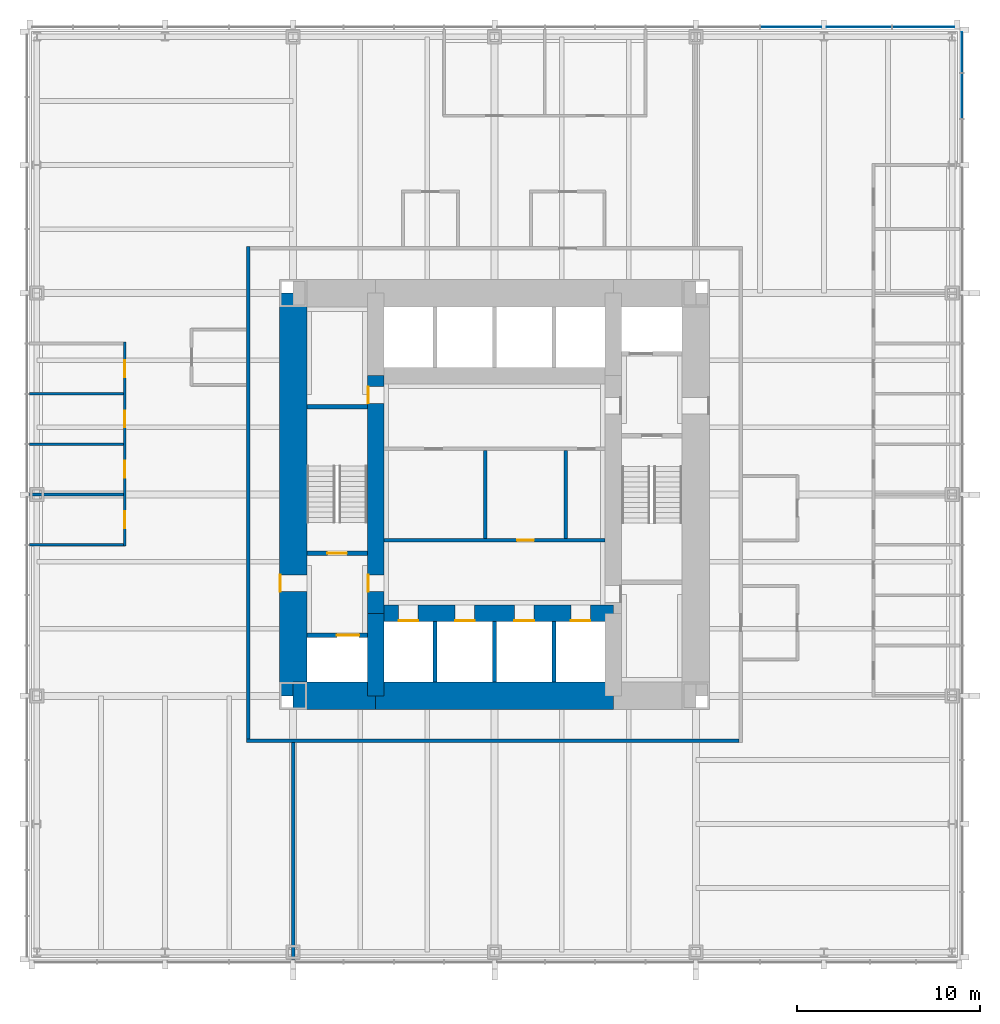
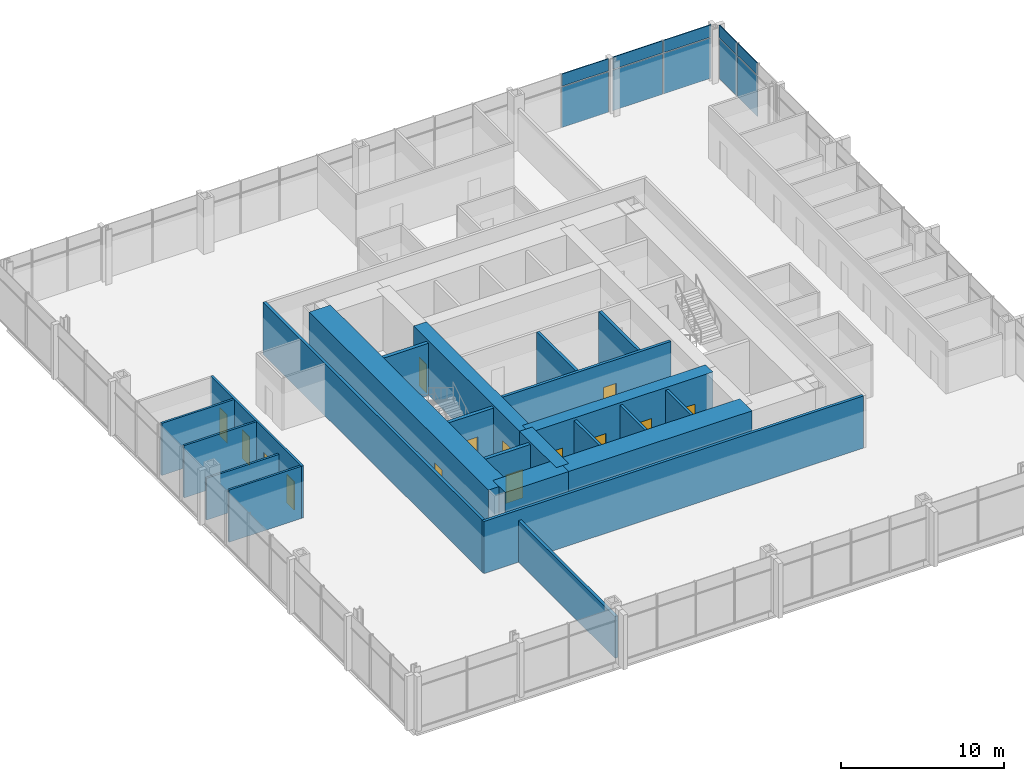
# One storey, part 9 of 12: 23 walls, 14 doors, 10 plates, 14 openings, 2 elements without a shape of their own.
"""IFC4 building model written with IfcOpenShell, lengths in metres."""

from ifc_helpers import new_model, si_unit, direction, frame, frame_2d, origin, origin_2d, place, context, subcontext, project, spatial, rectangle, extrude, material, layer, layer_set, type_object, element, fill, aggregate, save


model = new_model("IFC4")

# Units and contexts
model_context = context("Model", 3, precision=1e-05, world=origin(), true_north=direction((0.0, 1.0)))
body_context = subcontext(model_context, "Body", "Model", "MODEL_VIEW")
ifc_project = project(units=[si_unit("LENGTHUNIT", "METRE"), si_unit("AREAUNIT", "SQUARE_METRE"), si_unit("VOLUMEUNIT", "CUBIC_METRE"), si_unit("PLANEANGLEUNIT", "RADIAN"), si_unit("MASSUNIT", "GRAM", prefix="KILO")], contexts=[model_context])

# Site, building, storey
site_placement = place(None, origin())
site = spatial("IfcSite", under=ifc_project, at=site_placement, CompositionType="ELEMENT")
building_placement = place(site_placement, origin())
building = spatial("IfcBuilding", under=site, at=building_placement, Name="Trevanion Tower", CompositionType="ELEMENT")
storey_placement = place(building_placement, frame((0.0, 0.0, 44.699951171875)))
storey = spatial("IfcBuildingStorey", under=building, at=storey_placement, Name="L10", CompositionType="ELEMENT", Elevation=44.699951171875)

# Curtain wall, plates
ifc_material_1 = material(Name="Aluminium and glass", Category="aluminium")
curtain_wall_type = type_object("IfcCurtainWallType", Name="CW1 curtain wall", PredefinedType="USERDEFINED", material=ifc_material_1)
curtain_wall_1_placement = place(storey_placement, origin())
curtain_wall_1 = element("IfcCurtainWall", 1, at=curtain_wall_1_placement, inside=storey, type_object=curtain_wall_type, Name="CW1 L10 0", ObjectType="UNITISED CURTAIN WALL", PredefinedType="USERDEFINED")
ifc_material_2 = material(Name="Aluminium spandrel panel", Category="aluminium")
ifc_layer_1 = layer(ifc_material_2, 0.06005859375)
ifc_layer_set_1 = layer_set([ifc_layer_1], Name="CW1 spandrel panel")
plate_type_1 = type_object("IfcPlateType", Name="CW1 spandrel panel", PredefinedType="CURTAIN_PANEL", material=ifc_layer_set_1)
plate_1_placement = place(storey_placement, frame((25.550048828125, 21.77490234375, 2.99755859375), z_axis=(0.0, 0.0, 1.0), x_axis=(0.0, 1.0, 0.0)))
plate_1 = element("IfcPlate", 2, at=plate_1_placement, type_object=plate_type_1, Name="CW1 panel 16.2", PredefinedType="CURTAIN_PANEL", context=body_context, shape_type="SweptSolid", body=[
    extrude(rectangle(XDim=2.441650390625, YDim=0.06005859375, at=origin_2d()), origin(), (0.0, 0.0, 1.0), 0.91259765625),
])
plate_2_placement = place(storey_placement, frame((25.550048828125, 24.160400390625, 2.99755859375), z_axis=(0.0, 0.0, 1.0), x_axis=(0.0, 1.0, 0.0)))
plate_2 = element("IfcPlate", 3, at=plate_2_placement, type_object=plate_type_1, Name="CW1 panel 17.2", PredefinedType="CURTAIN_PANEL", context=body_context, shape_type="SweptSolid", body=[
    extrude(rectangle(XDim=2.17919921875, YDim=0.06005859375, at=origin_2d()), origin(), (0.0, 0.0, 1.0), 0.91259765625),
])

curtain_wall_2_placement = place(storey_placement, origin())
curtain_wall_2 = element("IfcCurtainWall", 4, at=curtain_wall_2_placement, inside=storey, type_object=curtain_wall_type, Name="CW1 L10 1", ObjectType="UNITISED CURTAIN WALL", PredefinedType="USERDEFINED")
plate_3_placement = place(storey_placement, frame((23.433837890625, 25.550048828125, 2.99755859375), z_axis=(0.0, 0.0, 1.0), x_axis=(-1.0, 0.0, 0.0)))
plate_3 = element("IfcPlate", 5, at=plate_3_placement, type_object=plate_type_1, Name="CW1 panel 1.2", PredefinedType="CURTAIN_PANEL", context=body_context, shape_type="SweptSolid", body=[
    extrude(rectangle(XDim=3.37255859375, YDim=0.06005859375, at=origin_2d()), origin(), (0.0, 0.0, 1.0), 0.91259765625),
])
plate_4_placement = place(storey_placement, frame((19.911376953125, 25.550048828125, 2.99755859375), z_axis=(0.0, 0.0, 1.0), x_axis=(-1.0, 0.0, 0.0)))
plate_4 = element("IfcPlate", 6, at=plate_4_placement, type_object=plate_type_1, Name="CW1 panel 2.2", PredefinedType="CURTAIN_PANEL", context=body_context, shape_type="SweptSolid", body=[
    extrude(rectangle(XDim=3.5224609375, YDim=0.06005859375, at=origin_2d()), origin(), (0.0, 0.0, 1.0), 0.91259765625),
])
plate_5_placement = place(storey_placement, frame((16.19384765625, 25.550048828125, 2.99755859375), z_axis=(0.0, 0.0, 1.0), x_axis=(-1.0, 0.0, 0.0)))
plate_5 = element("IfcPlate", 7, at=plate_5_placement, type_object=plate_type_1, Name="CW1 panel 3.2", PredefinedType="CURTAIN_PANEL", context=body_context, shape_type="SweptSolid", body=[
    extrude(rectangle(XDim=3.3125, YDim=0.06005859375, at=origin_2d()), origin(), (0.0, 0.0, 1.0), 0.91259765625),
])

# Plate
ifc_material_3 = material(Name="Insulating glass unit", Category="glass")
ifc_layer_2 = layer(ifc_material_3, 0.028076171875)
ifc_layer_set_2 = layer_set([ifc_layer_2], Name="CW1 vision panel")
plate_type_2 = type_object("IfcPlateType", Name="CW1 vision panel", PredefinedType="CURTAIN_PANEL", material=ifc_layer_set_2)
plate_6_placement = place(storey_placement, frame((25.550048828125, 21.77490234375, -0.114990234375), z_axis=(0.0, 0.0, 1.0), x_axis=(0.0, 1.0, 0.0)))
plate_6 = element("IfcPlate", 8, at=plate_6_placement, type_object=plate_type_2, Name="CW1 panel 16.1", PredefinedType="CURTAIN_PANEL", context=body_context, shape_type="SweptSolid", body=[
    extrude(rectangle(XDim=2.441650390625, YDim=0.028076171875, at=origin_2d()), origin(), (0.0, 0.0, 1.0), 3.03759765625),
])

plate_7_placement = place(storey_placement, frame((25.550048828125, 24.160400390625, -0.114990234375), z_axis=(0.0, 0.0, 1.0), x_axis=(0.0, 1.0, 0.0)))
plate_7 = element("IfcPlate", 9, at=plate_7_placement, type_object=plate_type_2, Name="CW1 panel 17.1", PredefinedType="CURTAIN_PANEL", context=body_context, shape_type="SweptSolid", body=[
    extrude(rectangle(XDim=2.17919921875, YDim=0.028076171875, at=origin_2d()), origin(), (0.0, 0.0, 1.0), 3.03759765625),
])

aggregate(curtain_wall_1, [plate_6, plate_1, plate_7, plate_2])

plate_8_placement = place(storey_placement, frame((23.433837890625, 25.550048828125, -0.114990234375), z_axis=(0.0, 0.0, 1.0), x_axis=(-1.0, 0.0, 0.0)))
plate_8 = element("IfcPlate", 10, at=plate_8_placement, type_object=plate_type_2, Name="CW1 panel 1.1", PredefinedType="CURTAIN_PANEL", context=body_context, shape_type="SweptSolid", body=[
    extrude(rectangle(XDim=3.37255859375, YDim=0.028076171875, at=origin_2d()), origin(), (0.0, 0.0, 1.0), 3.03759765625),
])

plate_9_placement = place(storey_placement, frame((19.911376953125, 25.550048828125, -0.114990234375), z_axis=(0.0, 0.0, 1.0), x_axis=(-1.0, 0.0, 0.0)))
plate_9 = element("IfcPlate", 11, at=plate_9_placement, type_object=plate_type_2, Name="CW1 panel 2.1", PredefinedType="CURTAIN_PANEL", context=body_context, shape_type="SweptSolid", body=[
    extrude(rectangle(XDim=3.5224609375, YDim=0.028076171875, at=origin_2d()), origin(), (0.0, 0.0, 1.0), 3.03759765625),
])

plate_10_placement = place(storey_placement, frame((16.19384765625, 25.550048828125, -0.114990234375), z_axis=(0.0, 0.0, 1.0), x_axis=(-1.0, 0.0, 0.0)))
plate_10 = element("IfcPlate", 12, at=plate_10_placement, type_object=plate_type_2, Name="CW1 panel 3.1", PredefinedType="CURTAIN_PANEL", context=body_context, shape_type="SweptSolid", body=[
    extrude(rectangle(XDim=3.3125, YDim=0.028076171875, at=origin_2d()), origin(), (0.0, 0.0, 1.0), 3.03759765625),
])

aggregate(curtain_wall_2, [plate_8, plate_3, plate_9, plate_4, plate_10, plate_5])

# Wall, opening, door
ifc_material_4 = material(Name="Concrete 10,000 psi", Category="concrete")
ifc_layer_3 = layer(ifc_material_4, 1.5)
ifc_layer_set_3 = layer_set([ifc_layer_3], Name="CW1 core wall 1500")
wall_type_1 = type_object("IfcWallType", Name="CW1 core wall 1500", PredefinedType="SHEAR", material=ifc_layer_set_3)
wall_1_placement = place(storey_placement, frame((-11.0, 11.0, 0.0), z_axis=(0.0, 0.0, 1.0), x_axis=(0.0, -1.0, 0.0)))
wall_1 = element("IfcWall", 13, at=wall_1_placement, inside=storey, type_object=wall_type_1, Name="CW1 CW L10", PredefinedType="SHEAR", context=body_context, shape_type="SweptSolid", body=[
    extrude(rectangle(XDim=22.0, YDim=1.5, at=frame_2d((11.0, 0.0))), origin(), (0.0, 0.0, 1.0), 4.10009765625),
])
opening_1_placement = place(wall_1_placement, frame((15.392578125, 0.0, 0.0)))
opening_1 = element("IfcOpeningElement", 14, at=opening_1_placement, cuts=wall_1, Name="Opening 10-002", PredefinedType="OPENING", context=body_context, shape_type="SweptSolid", body=[
    extrude(rectangle(XDim=0.9150390625, YDim=2.134033203125, at=frame_2d((0.45751953125, 1.06689453125))), frame((0.0, 0.760009765625, 0.0), z_axis=(0.0, -1.0, 0.0), x_axis=(1.0, 0.0, 0.0)), (0.0, 0.0, 1.0), 1.52001953125),
])
ifc_material_5 = material(Name="Hollow metal, fire rated", Category="steel")
door_type_1 = type_object("IfcDoorType", Name="D3 fire lift lobby door", OperationType="SINGLE_SWING_RIGHT", PredefinedType="DOOR", material=ifc_material_5)
door_1_placement = place(opening_1_placement, origin())
door_1 = element("IfcDoor", 15, at=door_1_placement, inside=storey, type_object=door_type_1, Name="Door 10-002", OperationType="SINGLE_SWING_RIGHT", OverallHeight=2.134033203125, OverallWidth=0.9150390625, PredefinedType="DOOR", context=body_context, shape_type="SweptSolid", body=[
    extrude(rectangle(XDim=0.9150390625, YDim=2.134033203125, at=frame_2d((0.45751953125, 1.06689453125))), frame((0.0, -0.6748046875, 0.0), z_axis=(0.0, -1.0, 0.0), x_axis=(1.0, 0.0, 0.0)), (0.0, 0.0, 1.0), 0.050048828125),
])
fill(opening_1, door_1)

# Walls
wall_2_placement = place(storey_placement, frame((-11.0, -11.0, 0.0), z_axis=(0.0, 0.0, 1.0), x_axis=(1.0, 0.0, 0.0)))
element("IfcWall", 16, at=wall_2_placement, inside=storey, type_object=wall_type_1, Name="CW1 CS1 L10", PredefinedType="SHEAR", context=body_context, shape_type="SweptSolid", body=[
    extrude(rectangle(XDim=4.5, YDim=1.5, at=frame_2d((2.25, 0.0))), origin(), (0.0, 0.0, 1.0), 4.10009765625),
])
wall_3_placement = place(storey_placement, frame((-6.5, -11.0, 0.0), z_axis=(0.0, 0.0, 1.0), x_axis=(1.0, 0.0, 0.0)))
element("IfcWall", 17, at=wall_3_placement, inside=storey, type_object=wall_type_1, Name="CW1 CS2 L10", PredefinedType="SHEAR", context=body_context, shape_type="SweptSolid", body=[
    extrude(rectangle(XDim=13.0, YDim=1.5, at=frame_2d((6.5, 0.0))), origin(), (0.0, 0.0, 1.0), 4.10009765625),
])

# Wall, openings, doors
ifc_material_6 = material(Name="Concrete 10,000 psi", Category="concrete")
ifc_layer_4 = layer(ifc_material_6, 0.89990234375)
ifc_layer_set_4 = layer_set([ifc_layer_4], Name="CW2 core wall 900")
wall_type_2 = type_object("IfcWallType", Name="CW2 core wall 900", PredefinedType="SHEAR", material=ifc_layer_set_4)
wall_4_placement = place(storey_placement, frame((-6.5, 6.5, 0.0), z_axis=(0.0, 0.0, 1.0), x_axis=(0.0, -1.0, 0.0)))
wall_4 = element("IfcWall", 18, at=wall_4_placement, inside=storey, type_object=wall_type_2, Name="CW2 RW2 L10", PredefinedType="SHEAR", context=body_context, shape_type="SweptSolid", body=[
    extrude(rectangle(XDim=13.0, YDim=0.89990234375, at=frame_2d((6.5, 0.0))), origin(), (0.0, 0.0, 1.0), 4.10009765625),
])
opening_2_placement = place(wall_4_placement, frame((10.892578125, 0.0, 0.0)))
opening_2 = element("IfcOpeningElement", 19, at=opening_2_placement, cuts=wall_4, Name="Opening 10-004", PredefinedType="OPENING", context=body_context, shape_type="SweptSolid", body=[
    extrude(rectangle(XDim=0.9150390625, YDim=2.134033203125, at=frame_2d((0.45751953125, 1.06689453125))), frame((0.0, 0.4599609375, 0.0), z_axis=(0.0, -1.0, 0.0), x_axis=(1.0, 0.0, 0.0)), (0.0, 0.0, 1.0), 0.919921875),
])
opening_3_placement = place(wall_4_placement, frame((0.610107421875, 0.0, 0.0)))
opening_3 = element("IfcOpeningElement", 20, at=opening_3_placement, cuts=wall_4, Name="Opening 10-010", PredefinedType="OPENING", context=body_context, shape_type="SweptSolid", body=[
    extrude(rectangle(XDim=0.9150390625, YDim=2.134033203125, at=frame_2d((0.45751953125, 1.06689453125))), frame((0.0, 0.4599609375, 0.0), z_axis=(0.0, -1.0, 0.0), x_axis=(1.0, 0.0, 0.0)), (0.0, 0.0, 1.0), 0.919921875),
])
door_2_placement = place(opening_2_placement, origin())
door_2 = element("IfcDoor", 21, at=door_2_placement, inside=storey, type_object=door_type_1, Name="Door 10-004", OperationType="SINGLE_SWING_RIGHT", OverallHeight=2.134033203125, OverallWidth=0.9150390625, PredefinedType="DOOR", context=body_context, shape_type="SweptSolid", body=[
    extrude(rectangle(XDim=0.9150390625, YDim=2.134033203125, at=frame_2d((0.45751953125, 1.06689453125))), frame((0.0, -0.375, 0.0), z_axis=(0.0, -1.0, 0.0), x_axis=(1.0, 0.0, 0.0)), (0.0, 0.0, 1.0), 0.050048828125),
])
fill(opening_2, door_2)
ifc_material_7 = material(Name="Hollow metal, fire rated", Category="steel")
door_type_2 = type_object("IfcDoorType", Name="D5 service room door", OperationType="SINGLE_SWING_RIGHT", PredefinedType="DOOR", material=ifc_material_7)
door_3_placement = place(opening_3_placement, origin())
door_3 = element("IfcDoor", 22, at=door_3_placement, inside=storey, type_object=door_type_2, Name="Door 10-010", OperationType="SINGLE_SWING_RIGHT", OverallHeight=2.134033203125, OverallWidth=0.9150390625, PredefinedType="DOOR", context=body_context, shape_type="SweptSolid", body=[
    extrude(rectangle(XDim=0.9150390625, YDim=2.134033203125, at=frame_2d((0.45751953125, 1.06689453125))), frame((0.0, -0.375, 0.0), z_axis=(0.0, -1.0, 0.0), x_axis=(1.0, 0.0, 0.0)), (0.0, 0.0, 1.0), 0.050048828125),
])
fill(opening_3, door_3)

# Wall
wall_5_placement = place(storey_placement, frame((-6.5, -6.5, 0.0), z_axis=(0.0, 0.0, 1.0), x_axis=(0.0, -1.0, 0.0)))
element("IfcWall", 23, at=wall_5_placement, inside=storey, type_object=wall_type_2, Name="CW2 RW3 L10", PredefinedType="SHEAR", context=body_context, shape_type="SweptSolid", body=[
    extrude(rectangle(XDim=4.5, YDim=0.89990234375, at=frame_2d((2.25, 0.0))), origin(), (0.0, 0.0, 1.0), 4.10009765625),
])

# Wall, openings, doors
wall_6_placement = place(storey_placement, frame((-6.5, -6.5, 0.0), z_axis=(0.0, 0.0, 1.0), x_axis=(1.0, 0.0, 0.0)))
wall_6 = element("IfcWall", 24, at=wall_6_placement, inside=storey, type_object=wall_type_2, Name="CW2 RS L10", PredefinedType="SHEAR", context=body_context, shape_type="SweptSolid", body=[
    extrude(rectangle(XDim=13.0, YDim=0.89990234375, at=frame_2d((6.5, 0.0))), origin(), (0.0, 0.0, 1.0), 4.10009765625),
])
opening_4_placement = place(wall_6_placement, frame((1.2666015625, 0.0, 0.0)))
opening_4 = element("IfcOpeningElement", 25, at=opening_4_placement, cuts=wall_6, Name="Opening 10-011", PredefinedType="OPENING", context=body_context, shape_type="SweptSolid", body=[
    extrude(rectangle(XDim=1.06689453125, YDim=2.134033203125, at=frame_2d((0.533447265625, 1.06689453125))), frame((0.0, 0.4599609375, 0.0), z_axis=(0.0, -1.0, 0.0), x_axis=(1.0, 0.0, 0.0)), (0.0, 0.0, 1.0), 0.919921875),
])
opening_5_placement = place(wall_6_placement, frame((4.341552734375, 0.0, 0.0)))
opening_5 = element("IfcOpeningElement", 26, at=opening_5_placement, cuts=wall_6, Name="Opening 10-012", PredefinedType="OPENING", context=body_context, shape_type="SweptSolid", body=[
    extrude(rectangle(XDim=1.06689453125, YDim=2.134033203125, at=frame_2d((0.533447265625, 1.06689453125))), frame((0.0, 0.4599609375, 0.0), z_axis=(0.0, -1.0, 0.0), x_axis=(1.0, 0.0, 0.0)), (0.0, 0.0, 1.0), 0.919921875),
])
opening_6_placement = place(wall_6_placement, frame((7.591552734375, 0.0, 0.0)))
opening_6 = element("IfcOpeningElement", 27, at=opening_6_placement, cuts=wall_6, Name="Opening 10-013", PredefinedType="OPENING", context=body_context, shape_type="SweptSolid", body=[
    extrude(rectangle(XDim=1.06689453125, YDim=2.134033203125, at=frame_2d((0.533447265625, 1.06689453125))), frame((0.0, 0.4599609375, 0.0), z_axis=(0.0, -1.0, 0.0), x_axis=(1.0, 0.0, 0.0)), (0.0, 0.0, 1.0), 0.919921875),
])
opening_7_placement = place(wall_6_placement, frame((10.66650390625, 0.0, 0.0)))
opening_7 = element("IfcOpeningElement", 28, at=opening_7_placement, cuts=wall_6, Name="Opening 10-014", PredefinedType="OPENING", context=body_context, shape_type="SweptSolid", body=[
    extrude(rectangle(XDim=1.06689453125, YDim=2.134033203125, at=frame_2d((0.533447265625, 1.06689453125))), frame((0.0, 0.4599609375, 0.0), z_axis=(0.0, -1.0, 0.0), x_axis=(1.0, 0.0, 0.0)), (0.0, 0.0, 1.0), 0.919921875),
])
ifc_material_8 = material(Name="Stainless steel, fire rated", Category="steel")
door_type_3 = type_object("IfcDoorType", Name="LD1 lift landing door", OperationType="SLIDING_TO_LEFT", PredefinedType="DOOR", material=ifc_material_8)
door_4_placement = place(opening_4_placement, origin())
door_4 = element("IfcDoor", 29, at=door_4_placement, inside=storey, type_object=door_type_3, Name="Door 10-011", OperationType="SLIDING_TO_LEFT", OverallHeight=2.134033203125, OverallWidth=1.06689453125, PredefinedType="DOOR", context=body_context, shape_type="SweptSolid", body=[
    extrude(rectangle(XDim=1.06689453125, YDim=2.134033203125, at=frame_2d((0.533447265625, 1.06689453125))), frame((0.0, -0.375, 0.0), z_axis=(0.0, -1.0, 0.0), x_axis=(1.0, 0.0, 0.0)), (0.0, 0.0, 1.0), 0.050048828125),
])
fill(opening_4, door_4)
door_5_placement = place(opening_5_placement, origin())
door_5 = element("IfcDoor", 30, at=door_5_placement, inside=storey, type_object=door_type_3, Name="Door 10-012", OperationType="SLIDING_TO_LEFT", OverallHeight=2.134033203125, OverallWidth=1.06689453125, PredefinedType="DOOR", context=body_context, shape_type="SweptSolid", body=[
    extrude(rectangle(XDim=1.06689453125, YDim=2.134033203125, at=frame_2d((0.533447265625, 1.06689453125))), frame((0.0, -0.375, 0.0), z_axis=(0.0, -1.0, 0.0), x_axis=(1.0, 0.0, 0.0)), (0.0, 0.0, 1.0), 0.050048828125),
])
fill(opening_5, door_5)
door_6_placement = place(opening_6_placement, origin())
door_6 = element("IfcDoor", 31, at=door_6_placement, inside=storey, type_object=door_type_3, Name="Door 10-013", OperationType="SLIDING_TO_LEFT", OverallHeight=2.134033203125, OverallWidth=1.06689453125, PredefinedType="DOOR", context=body_context, shape_type="SweptSolid", body=[
    extrude(rectangle(XDim=1.06689453125, YDim=2.134033203125, at=frame_2d((0.533447265625, 1.06689453125))), frame((0.0, -0.375, 0.0), z_axis=(0.0, -1.0, 0.0), x_axis=(1.0, 0.0, 0.0)), (0.0, 0.0, 1.0), 0.050048828125),
])
fill(opening_6, door_6)
door_7_placement = place(opening_7_placement, origin())
door_7 = element("IfcDoor", 32, at=door_7_placement, inside=storey, type_object=door_type_3, Name="Door 10-014", OperationType="SLIDING_TO_LEFT", OverallHeight=2.134033203125, OverallWidth=1.06689453125, PredefinedType="DOOR", context=body_context, shape_type="SweptSolid", body=[
    extrude(rectangle(XDim=1.06689453125, YDim=2.134033203125, at=frame_2d((0.533447265625, 1.06689453125))), frame((0.0, -0.375, 0.0), z_axis=(0.0, -1.0, 0.0), x_axis=(1.0, 0.0, 0.0)), (0.0, 0.0, 1.0), 0.050048828125),
])
fill(opening_7, door_7)

ifc_material_9 = material(Name="Gypsum board on steel studs", Category="steel")
ifc_layer_5 = layer(ifc_material_9, 0.14990234375)
ifc_layer_set_5 = layer_set([ifc_layer_5], Name="PT1 partition 150")
wall_type_3 = type_object("IfcWallType", Name="PT1 partition 150", PredefinedType="PARTITIONING", material=ifc_layer_set_5)
wall_7_placement = place(storey_placement, frame((-20.199951171875, 8.324951171875, 0.0), z_axis=(0.0, 0.0, 1.0), x_axis=(0.0, -1.0, 0.0)))
wall_7 = element("IfcWall", 33, at=wall_7_placement, inside=storey, type_object=wall_type_3, Name="PT1 L10 FC2F", PredefinedType="PARTITIONING", context=body_context, shape_type="SweptSolid", body=[
    extrude(rectangle(XDim=11.14990234375, YDim=0.14990234375, at=frame_2d((5.574951171875, 0.0))), origin(), (0.0, 0.0, 1.0), 3.91015625),
])
opening_8_placement = place(wall_7_placement, frame((0.992431640625, 0.0, 0.0)))
opening_8 = element("IfcOpeningElement", 34, at=opening_8_placement, cuts=wall_7, Name="Opening 10-028", PredefinedType="OPENING", context=body_context, shape_type="SweptSolid", body=[
    extrude(rectangle(XDim=0.9150390625, YDim=2.134033203125, at=frame_2d((0.45751953125, 1.06689453125))), frame((0.0, 0.0849609375, 0.0), z_axis=(0.0, -1.0, 0.0), x_axis=(1.0, 0.0, 0.0)), (0.0, 0.0, 1.0), 0.169921875),
])
opening_9_placement = place(wall_7_placement, frame((3.742431640625, 0.0, 0.0)))
opening_9 = element("IfcOpeningElement", 35, at=opening_9_placement, cuts=wall_7, Name="Opening 10-029", PredefinedType="OPENING", context=body_context, shape_type="SweptSolid", body=[
    extrude(rectangle(XDim=0.9150390625, YDim=2.134033203125, at=frame_2d((0.45751953125, 1.06689453125))), frame((0.0, 0.0849609375, 0.0), z_axis=(0.0, -1.0, 0.0), x_axis=(1.0, 0.0, 0.0)), (0.0, 0.0, 1.0), 0.169921875),
])
opening_10_placement = place(wall_7_placement, frame((6.492431640625, 0.0, 0.0)))
opening_10 = element("IfcOpeningElement", 36, at=opening_10_placement, cuts=wall_7, Name="Opening 10-030", PredefinedType="OPENING", context=body_context, shape_type="SweptSolid", body=[
    extrude(rectangle(XDim=0.9150390625, YDim=2.134033203125, at=frame_2d((0.45751953125, 1.06689453125))), frame((0.0, 0.0849609375, 0.0), z_axis=(0.0, -1.0, 0.0), x_axis=(1.0, 0.0, 0.0)), (0.0, 0.0, 1.0), 0.169921875),
])
opening_11_placement = place(wall_7_placement, frame((9.242431640625, 0.0, 0.0)))
opening_11 = element("IfcOpeningElement", 37, at=opening_11_placement, cuts=wall_7, Name="Opening 10-031", PredefinedType="OPENING", context=body_context, shape_type="SweptSolid", body=[
    extrude(rectangle(XDim=0.9150390625, YDim=2.134033203125, at=frame_2d((0.45751953125, 1.06689453125))), frame((0.0, 0.0849609375, 0.0), z_axis=(0.0, -1.0, 0.0), x_axis=(1.0, 0.0, 0.0)), (0.0, 0.0, 1.0), 0.169921875),
])
ifc_material_10 = material(Name="Timber veneer, solid core", Category="wood")
door_type_4 = type_object("IfcDoorType", Name="D1 office and meeting room door", OperationType="SINGLE_SWING_LEFT", PredefinedType="DOOR", material=ifc_material_10)
door_8_placement = place(opening_8_placement, origin())
door_8 = element("IfcDoor", 38, at=door_8_placement, inside=storey, type_object=door_type_4, Name="Door 10-028", OperationType="SINGLE_SWING_LEFT", OverallHeight=2.134033203125, OverallWidth=0.9150390625, PredefinedType="DOOR", context=body_context, shape_type="SweptSolid", body=[
    extrude(rectangle(XDim=0.9150390625, YDim=2.134033203125, at=frame_2d((0.45751953125, 1.06689453125))), frame((0.0, 0.02490234375, 0.0), z_axis=(0.0, -1.0, 0.0), x_axis=(1.0, 0.0, 0.0)), (0.0, 0.0, 1.0), 0.050048828125),
])
fill(opening_8, door_8)
door_9_placement = place(opening_9_placement, origin())
door_9 = element("IfcDoor", 39, at=door_9_placement, inside=storey, type_object=door_type_4, Name="Door 10-029", OperationType="SINGLE_SWING_LEFT", OverallHeight=2.134033203125, OverallWidth=0.9150390625, PredefinedType="DOOR", context=body_context, shape_type="SweptSolid", body=[
    extrude(rectangle(XDim=0.9150390625, YDim=2.134033203125, at=frame_2d((0.45751953125, 1.06689453125))), frame((0.0, 0.02490234375, 0.0), z_axis=(0.0, -1.0, 0.0), x_axis=(1.0, 0.0, 0.0)), (0.0, 0.0, 1.0), 0.050048828125),
])
fill(opening_9, door_9)
door_10_placement = place(opening_10_placement, origin())
door_10 = element("IfcDoor", 40, at=door_10_placement, inside=storey, type_object=door_type_4, Name="Door 10-030", OperationType="SINGLE_SWING_LEFT", OverallHeight=2.134033203125, OverallWidth=0.9150390625, PredefinedType="DOOR", context=body_context, shape_type="SweptSolid", body=[
    extrude(rectangle(XDim=0.9150390625, YDim=2.134033203125, at=frame_2d((0.45751953125, 1.06689453125))), frame((0.0, 0.02490234375, 0.0), z_axis=(0.0, -1.0, 0.0), x_axis=(1.0, 0.0, 0.0)), (0.0, 0.0, 1.0), 0.050048828125),
])
fill(opening_10, door_10)
door_11_placement = place(opening_11_placement, origin())
door_11 = element("IfcDoor", 41, at=door_11_placement, inside=storey, type_object=door_type_4, Name="Door 10-031", OperationType="SINGLE_SWING_LEFT", OverallHeight=2.134033203125, OverallWidth=0.9150390625, PredefinedType="DOOR", context=body_context, shape_type="SweptSolid", body=[
    extrude(rectangle(XDim=0.9150390625, YDim=2.134033203125, at=frame_2d((0.45751953125, 1.06689453125))), frame((0.0, 0.02490234375, 0.0), z_axis=(0.0, -1.0, 0.0), x_axis=(1.0, 0.0, 0.0)), (0.0, 0.0, 1.0), 0.050048828125),
])
fill(opening_11, door_11)

# Walls
for number, where, z_axis, x_axis, name in (
    (42, (-20.27490234375, 5.5, 0.0), (0.0, 0.0, 1.0), (-1.0, 0.0, 0.0), "PT1 L10 FC2S1"),
    (43, (-20.27490234375, 2.75, 0.0), (0.0, 0.0, 1.0), (-1.0, 0.0, 0.0), "PT1 L10 FC2S2"),
):
    element("IfcWall", number, at=place(storey_placement, frame(where, z_axis=z_axis, x_axis=x_axis)), inside=storey, type_object=wall_type_3, Name=name, PredefinedType="PARTITIONING", context=body_context, shape_type="SweptSolid", body=[
        extrude(rectangle(XDim=5.14013671875, YDim=0.14990234375, at=frame_2d((2.570068359375, 0.0))), origin(), (0.0, 0.0, 1.0), 3.91015625),
    ])
wall_8_placement = place(storey_placement, frame((-20.27490234375, 0.0, 0.0), z_axis=(0.0, 0.0, 1.0), x_axis=(-1.0, 0.0, 0.0)))
element("IfcWall", 44, at=wall_8_placement, inside=storey, type_object=wall_type_3, Name="PT1 L10 FC2S3", PredefinedType="PARTITIONING", context=body_context, shape_type="SweptSolid", body=[
    extrude(rectangle(XDim=5.14013671875, YDim=0.14990234375, at=frame_2d((2.570068359375, 0.0))), origin(), (0.0, 0.0, 1.0), 3.130126953125),
])
wall_9_placement = place(storey_placement, frame((-20.27490234375, -2.75, 0.0), z_axis=(0.0, 0.0, 1.0), x_axis=(-1.0, 0.0, 0.0)))
element("IfcWall", 45, at=wall_9_placement, inside=storey, type_object=wall_type_3, Name="PT1 L10 FC2S4", PredefinedType="PARTITIONING", context=body_context, shape_type="SweptSolid", body=[
    extrude(rectangle(XDim=5.14013671875, YDim=0.14990234375, at=frame_2d((2.570068359375, 0.0))), origin(), (0.0, 0.0, 1.0), 3.91015625),
])
ifc_material_11 = material(Name="Concrete masonry, grouted", Category="masonry")
ifc_layer_6 = layer(ifc_material_11, 0.199951171875)
ifc_layer_set_6 = layer_set([ifc_layer_6], Name="PT2 partition 200")
wall_type_4 = type_object("IfcWallType", Name="PT2 partition 200", PredefinedType="PARTITIONING", material=ifc_layer_set_6)
for number, where, z_axis, x_axis, name in (
    (46, (-0.5, -2.39990234375, 0.0), (0.0, 0.0, 1.0), (0.0, 1.0, 0.0), "PT2 L10 TP1"),
    (47, (3.89990234375, -2.39990234375, 0.0), (0.0, 0.0, 1.0), (0.0, 1.0, 0.0), "PT2 L10 TP2"),
):
    element("IfcWall", number, at=place(storey_placement, frame(where, z_axis=z_axis, x_axis=x_axis)), inside=storey, type_object=wall_type_4, Name=name, PredefinedType="PARTITIONING", context=body_context, shape_type="SweptSolid", body=[
        extrude(rectangle(XDim=4.7998046875, YDim=0.199951171875, at=frame_2d((2.39990234375, 0.0))), origin(), (0.0, 0.0, 1.0), 3.91015625),
    ])

# Wall, opening, door
ifc_material_12 = material(Name="Concrete masonry, grouted", Category="masonry")
ifc_layer_7 = layer(ifc_material_12, 0.199951171875)
ifc_layer_set_7 = layer_set([ifc_layer_7], Name="PT2 partition 200 1 HR")
wall_type_5 = type_object("IfcWallType", Name="PT2 partition 200 1 HR", PredefinedType="PARTITIONING", material=ifc_layer_set_7)
wall_10_placement = place(storey_placement, frame((6.050048828125, -2.5, 0.0), z_axis=(0.0, 0.0, 1.0), x_axis=(-1.0, 0.0, 0.0)))
wall_10 = element("IfcWall", 48, at=wall_10_placement, inside=storey, type_object=wall_type_5, Name="PT2 L10 CP2", PredefinedType="PARTITIONING", context=body_context, shape_type="SweptSolid", body=[
    extrude(rectangle(XDim=12.10009765625, YDim=0.199951171875, at=frame_2d((6.050048828125, 0.0))), origin(), (0.0, 0.0, 1.0), 3.91015625),
])
opening_12_placement = place(wall_10_placement, frame((3.892578125, 0.0, 0.0)))
opening_12 = element("IfcOpeningElement", 49, at=opening_12_placement, cuts=wall_10, Name="Opening 10-016", PredefinedType="OPENING", context=body_context, shape_type="SweptSolid", body=[
    extrude(rectangle(XDim=0.9150390625, YDim=2.134033203125, at=frame_2d((0.45751953125, 1.06689453125))), frame((0.0, 0.10986328125, 0.0), z_axis=(0.0, -1.0, 0.0), x_axis=(1.0, 0.0, 0.0)), (0.0, 0.0, 1.0), 0.219970703125),
])
ifc_material_13 = material(Name="Plastic laminate on fire-rated core", Category="wood")
door_type_5 = type_object("IfcDoorType", Name="D12 toilet door in a one hour wall", OperationType="SINGLE_SWING_LEFT", PredefinedType="DOOR", material=ifc_material_13)
door_12_placement = place(opening_12_placement, origin())
door_12 = element("IfcDoor", 50, at=door_12_placement, inside=storey, type_object=door_type_5, Name="Door 10-016", OperationType="SINGLE_SWING_LEFT", OverallHeight=2.134033203125, OverallWidth=0.9150390625, PredefinedType="DOOR", context=body_context, shape_type="SweptSolid", body=[
    extrude(rectangle(XDim=0.9150390625, YDim=2.134033203125, at=frame_2d((0.45751953125, 1.06689453125))), frame((0.0, 0.02490234375, 0.0), z_axis=(0.0, -1.0, 0.0), x_axis=(1.0, 0.0, 0.0)), (0.0, 0.0, 1.0), 0.050048828125),
])
fill(opening_12, door_12)

# Walls
for number, where, z_axis, x_axis, name in (
    (51, (-13.449951171875, 13.550048828125, 0.0), (0.0, 0.0, 1.0), (0.0, -1.0, 0.0), "PT2 L10 OC2"),
    (52, (-13.550048828125, -13.449951171875, 0.0), (0.0, 0.0, 1.0), (1.0, 0.0, 0.0), "PT2 L10 OC3"),
):
    element("IfcWall", number, at=place(storey_placement, frame(where, z_axis=z_axis, x_axis=x_axis)), inside=storey, type_object=wall_type_5, Name=name, PredefinedType="PARTITIONING", context=body_context, shape_type="SweptSolid", body=[
        extrude(rectangle(XDim=26.900146484375, YDim=0.199951171875, at=frame_2d((13.4501953125, 0.0))), origin(), (0.0, 0.0, 1.0), 3.91015625),
    ])
wall_11_placement = place(storey_placement, frame((-11.0, -13.550048828125, 0.0), z_axis=(0.0, 0.0, 1.0), x_axis=(0.0, -1.0, 0.0)))
element("IfcWall", 53, at=wall_11_placement, inside=storey, type_object=wall_type_5, Name="PT2 L10 DM2", PredefinedType="PARTITIONING", context=body_context, shape_type="SweptSolid", body=[
    extrude(rectangle(XDim=11.864990234375, YDim=0.199951171875, at=frame_2d((5.9326171875, 0.0))), origin(), (0.0, 0.0, 1.0), 3.130126953125),
])
ifc_material_14 = material(Name="Concrete masonry, grouted", Category="masonry")
ifc_layer_8 = layer(ifc_material_14, 0.199951171875)
ifc_layer_set_8 = layer_set([ifc_layer_8], Name="PT2 partition 200 2 HR")
wall_type_6 = type_object("IfcWallType", Name="PT2 partition 200 2 HR", PredefinedType="PARTITIONING", material=ifc_layer_set_8)
for number, where, z_axis, x_axis, name in (
    (54, (-3.25, -10.25, 0.0), (0.0, 0.0, 1.0), (0.0, 1.0, 0.0), "PT2 L10 SS0"),
    (55, (0.0, -10.25, 0.0), (0.0, 0.0, 1.0), (0.0, 1.0, 0.0), "PT2 L10 SS1"),
    (56, (3.25, -10.25, 0.0), (0.0, 0.0, 1.0), (0.0, 1.0, 0.0), "PT2 L10 SS2"),
):
    element("IfcWall", number, at=place(storey_placement, frame(where, z_axis=z_axis, x_axis=x_axis)), inside=storey, type_object=wall_type_6, Name=name, PredefinedType="PARTITIONING", context=body_context, shape_type="SweptSolid", body=[
        extrude(rectangle(XDim=3.300048828125, YDim=0.199951171875, at=frame_2d((1.64990234375, 0.0))), origin(), (0.0, 0.0, 1.0), 3.91015625),
    ])

# Wall, opening, door
ifc_material_15 = material(Name="Concrete masonry, grouted, two-hour", Category="masonry")
ifc_layer_9 = layer(ifc_material_15, 0.25)
ifc_layer_set_9 = layer_set([ifc_layer_9], Name="PT3 partition 250 2 HR")
wall_type_7 = type_object("IfcWallType", Name="PT3 partition 250 2 HR", PredefinedType="PARTITIONING", material=ifc_layer_set_9)
wall_12_placement = place(storey_placement, frame((-6.949951171875, -7.699951171875, 0.0), z_axis=(0.0, 0.0, 1.0), x_axis=(-1.0, 0.0, 0.0)))
wall_12 = element("IfcWall", 57, at=wall_12_placement, inside=storey, type_object=wall_type_7, Name="PT3 L10 WP3", PredefinedType="PARTITIONING", context=body_context, shape_type="SweptSolid", body=[
    extrude(rectangle(XDim=3.300048828125, YDim=0.25, at=frame_2d((1.64990234375, 0.0))), origin(), (0.0, 0.0, 1.0), 3.91015625),
])
opening_13_placement = place(wall_12_placement, frame((0.449951171875, 0.0, 0.0)))
opening_13 = element("IfcOpeningElement", 58, at=opening_13_placement, cuts=wall_12, Name="Opening 10-008", PredefinedType="OPENING", context=body_context, shape_type="SweptSolid", body=[
    extrude(rectangle(XDim=1.218994140625, YDim=2.134033203125, at=frame_2d((0.609375, 1.06689453125))), frame((0.0, 0.135009765625, 0.0), z_axis=(0.0, -1.0, 0.0), x_axis=(1.0, 0.0, 0.0)), (0.0, 0.0, 1.0), 0.27001953125),
])
ifc_material_16 = material(Name="Stainless steel, fire rated", Category="steel")
door_type_6 = type_object("IfcDoorType", Name="LD2 fire service lift landing door", OperationType="SLIDING_TO_LEFT", PredefinedType="DOOR", material=ifc_material_16)
door_13_placement = place(opening_13_placement, origin())
door_13 = element("IfcDoor", 59, at=door_13_placement, inside=storey, type_object=door_type_6, Name="Door 10-008", OperationType="SLIDING_TO_LEFT", OverallHeight=2.134033203125, OverallWidth=1.218994140625, PredefinedType="DOOR", context=body_context, shape_type="SweptSolid", body=[
    extrude(rectangle(XDim=1.218994140625, YDim=2.134033203125, at=frame_2d((0.609375, 1.06689453125))), frame((0.0, 0.02490234375, 0.0), z_axis=(0.0, -1.0, 0.0), x_axis=(1.0, 0.0, 0.0)), (0.0, 0.0, 1.0), 0.050048828125),
])
fill(opening_13, door_13)

# Wall
ifc_material_17 = material(Name="Reinforced masonry, fully grouted", Category="masonry")
ifc_layer_10 = layer(ifc_material_17, 0.25)
ifc_layer_set_10 = layer_set([ifc_layer_10], Name="SW1 stair shaft wall 250")
wall_type_8 = type_object("IfcWallType", Name="SW1 stair shaft wall 250", PredefinedType="SOLIDWALL", material=ifc_layer_set_10)
wall_13_placement = place(storey_placement, frame((-6.949951171875, 4.800048828125, 0.0), z_axis=(0.0, 0.0, 1.0), x_axis=(-1.0, 0.0, 0.0)))
element("IfcWall", 60, at=wall_13_placement, inside=storey, type_object=wall_type_8, Name="SW1 L10 WP1", PredefinedType="SOLIDWALL", context=body_context, shape_type="SweptSolid", body=[
    extrude(rectangle(XDim=3.300048828125, YDim=0.25, at=frame_2d((1.64990234375, 0.0))), origin(), (0.0, 0.0, 1.0), 3.91015625),
])

# Wall, opening, door
wall_14_placement = place(storey_placement, frame((-6.949951171875, -3.199951171875, 0.0), z_axis=(0.0, 0.0, 1.0), x_axis=(-1.0, 0.0, 0.0)))
wall_14 = element("IfcWall", 61, at=wall_14_placement, inside=storey, type_object=wall_type_8, Name="SW1 L10 WP2", PredefinedType="SOLIDWALL", context=body_context, shape_type="SweptSolid", body=[
    extrude(rectangle(XDim=3.300048828125, YDim=0.25, at=frame_2d((1.64990234375, 0.0))), origin(), (0.0, 0.0, 1.0), 3.91015625),
])
opening_14_placement = place(wall_14_placement, frame((1.116455078125, 0.0, 0.0)))
opening_14 = element("IfcOpeningElement", 62, at=opening_14_placement, cuts=wall_14, Name="Opening 10-006", PredefinedType="OPENING", context=body_context, shape_type="SweptSolid", body=[
    extrude(rectangle(XDim=1.06689453125, YDim=2.134033203125, at=frame_2d((0.533447265625, 1.06689453125))), frame((0.0, 0.135009765625, 0.0), z_axis=(0.0, -1.0, 0.0), x_axis=(1.0, 0.0, 0.0)), (0.0, 0.0, 1.0), 0.27001953125),
])
ifc_material_18 = material(Name="Hollow metal, fire rated", Category="steel")
door_type_7 = type_object("IfcDoorType", Name="D2 exit stair door", OperationType="SINGLE_SWING_LEFT", PredefinedType="DOOR", material=ifc_material_18)
door_14_placement = place(opening_14_placement, origin())
door_14 = element("IfcDoor", 63, at=door_14_placement, inside=storey, type_object=door_type_7, Name="Door 10-006", OperationType="SINGLE_SWING_LEFT", OverallHeight=2.134033203125, OverallWidth=1.06689453125, PredefinedType="DOOR", context=body_context, shape_type="SweptSolid", body=[
    extrude(rectangle(XDim=1.06689453125, YDim=2.134033203125, at=frame_2d((0.533447265625, 1.06689453125))), frame((0.0, 0.02490234375, 0.0), z_axis=(0.0, -1.0, 0.0), x_axis=(1.0, 0.0, 0.0)), (0.0, 0.0, 1.0), 0.050048828125),
])
fill(opening_14, door_14)

save(model, "model.ifc")
